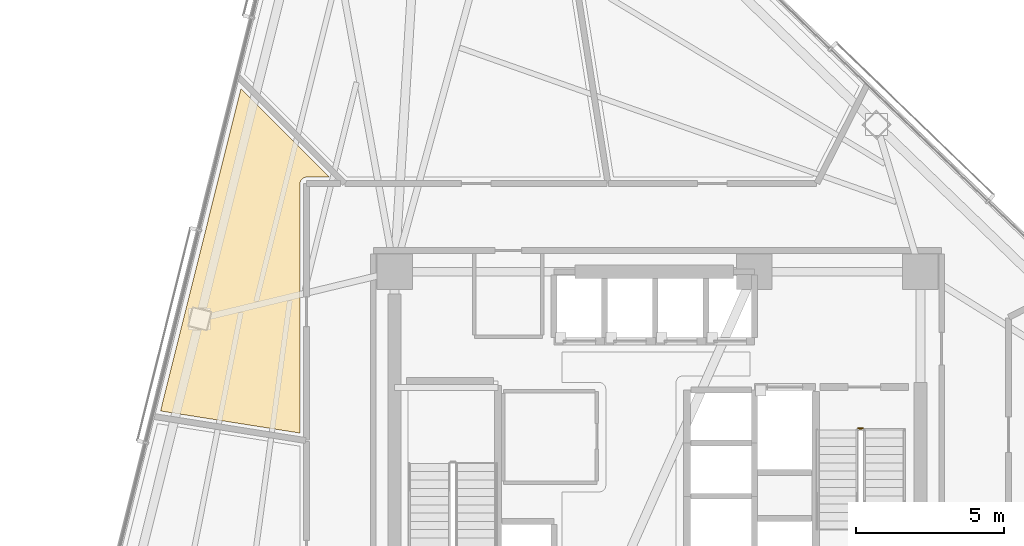
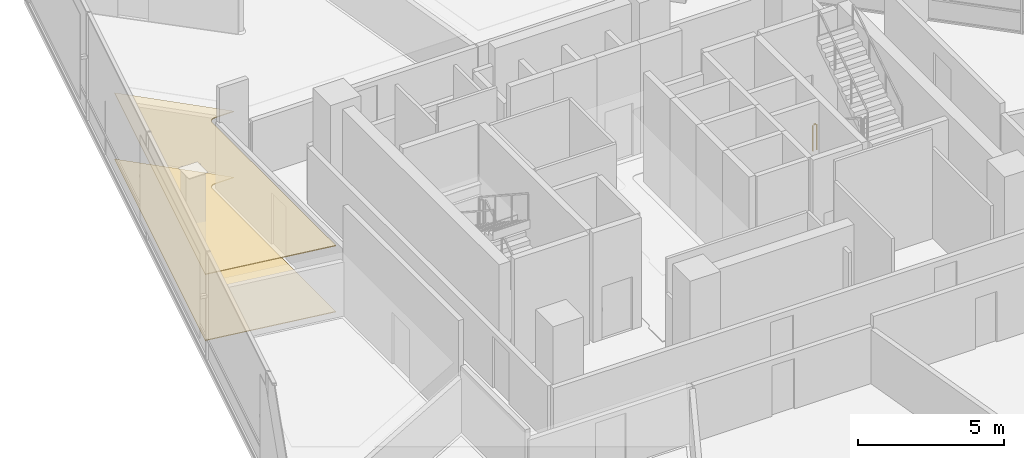
# One storey, part 17 of 18: 2 coverings, 1 railing.
"""IFC4 building model written with IfcOpenShell, lengths in metres."""

from ifc_helpers import new_model, si_unit, direction, frame, origin, origin_2d, place, context, subcontext, project, spatial, polyline, rectangle, outline, extrude, material, layer, layer_set, type_object, element, save


model = new_model("IFC4")

# Units and contexts
model_context = context("Model", 3, precision=1e-05, world=origin(), true_north=direction((0.0, 1.0)))
body_context = subcontext(model_context, "Body", "Model", "MODEL_VIEW")
ifc_project = project(units=[si_unit("LENGTHUNIT", "METRE"), si_unit("AREAUNIT", "SQUARE_METRE"), si_unit("VOLUMEUNIT", "CUBIC_METRE"), si_unit("PLANEANGLEUNIT", "RADIAN"), si_unit("MASSUNIT", "GRAM", prefix="KILO")], contexts=[model_context])

# Site, building, storey
site_placement = place(None, origin())
site = spatial("IfcSite", under=ifc_project, at=site_placement, CompositionType="ELEMENT")
building_placement = place(site_placement, origin())
building = spatial("IfcBuilding", under=site, at=building_placement, Name="Tharavind Bronze Gate", CompositionType="ELEMENT")
storey_placement = place(building_placement, frame((0.0, 0.0, 107.699951171875)))
storey = spatial("IfcBuildingStorey", under=building, at=storey_placement, Name="L27", CompositionType="ELEMENT", Elevation=107.699951171875)

# Coverings
ifc_material_1 = material(Name="Engineered Oak & Carpet Tile", Category="wood")
ifc_layer_1 = layer(ifc_material_1, 0.02490234375)
ifc_layer_set_1 = layer_set([ifc_layer_1], Name="Engineered Oak & Carpet Tile")
covering_type_1 = type_object("IfcCoveringType", Name="ENGINEERED TIMBER FLOORING", PredefinedType="FLOORING", material=ifc_layer_set_1)
covering_1_placement = place(storey_placement, origin())
element("IfcCovering", 1, at=covering_1_placement, inside=storey, type_object=covering_type_1, Name="L27-RM-03 floor finish", PredefinedType="FLOORING", context=body_context, shape_type="SweptSolid", body=[
    extrude(outline(polyline([(-12.10009765625, 2.13916015625), (-12.10009765625, 10.579345703125), (-12.099609375, 10.590087890625), (-12.099609375, 10.5908203125), (-12.09765625, 10.6123046875), (-12.093505859375, 10.63330078125), (-12.087158203125, 10.654052734375), (-12.078857421875, 10.674072265625), (-12.068603515625, 10.693115234375), (-12.056640625, 10.7109375), (-12.04296875, 10.727783203125), (-12.027587890625, 10.742919921875), (-12.010986328125, 10.756591796875), (-11.9931640625, 10.768798828125), (-11.97412109375, 10.77880859375), (-11.9541015625, 10.787109375), (-11.933349609375, 10.79345703125), (-11.912353515625, 10.797607421875), (-11.890869140625, 10.7998046875), (-11.89013671875, 10.7998046875), (-11.87939453125, 10.800048828125), (-11.111083984375, 10.800048828125), (-14.1015625, 13.790283203125), (-16.820068359375, 2.88671875), (-12.10009765625, 2.13916015625)])), origin(), (0.0, 0.0, 1.0), 0.025146484375),
])
ifc_material_2 = material(Name="Acoustic Gypsum Board", Category="gypsum")
ifc_layer_2 = layer(ifc_material_2, 0.030029296875)
ifc_layer_set_2 = layer_set([ifc_layer_2], Name="Acoustic Gypsum Board")
covering_type_2 = type_object("IfcCoveringType", Name="GYPSUM SUSPENDED CEILING", PredefinedType="CEILING", material=ifc_layer_set_2)
covering_2_placement = place(storey_placement, frame((0.0, 0.0, 2.75)))
element("IfcCovering", 2, at=covering_2_placement, inside=storey, type_object=covering_type_2, Name="L27-RM-03 suspended ceiling", PredefinedType="CEILING", context=body_context, shape_type="SweptSolid", body=[
    extrude(outline(polyline([(-12.10009765625, 2.13916015625), (-12.10009765625, 10.579345703125), (-12.099609375, 10.590087890625), (-12.099609375, 10.5908203125), (-12.09765625, 10.6123046875), (-12.093505859375, 10.63330078125), (-12.087158203125, 10.654052734375), (-12.078857421875, 10.674072265625), (-12.068603515625, 10.693115234375), (-12.056640625, 10.7109375), (-12.04296875, 10.727783203125), (-12.027587890625, 10.742919921875), (-12.010986328125, 10.756591796875), (-11.9931640625, 10.768798828125), (-11.97412109375, 10.77880859375), (-11.9541015625, 10.787109375), (-11.933349609375, 10.79345703125), (-11.912353515625, 10.797607421875), (-11.890869140625, 10.7998046875), (-11.89013671875, 10.7998046875), (-11.87939453125, 10.800048828125), (-11.111083984375, 10.800048828125), (-14.1015625, 13.790283203125), (-16.820068359375, 2.88671875), (-12.10009765625, 2.13916015625)])), origin(), (0.0, 0.0, 1.0), 0.03515625),
])

# Railing
ifc_material_3 = material(Name="Brushed Bronze Alloy", Category="metal")
railing_type = type_object("IfcRailingType", Name="STAIR WELL GUARD RAILING 1120", PredefinedType="GUARDRAIL", material=ifc_material_3)
railing_placement = place(storey_placement, frame((6.800048828125, 2.300048828125, 0.0)))
element("IfcRailing", 3, at=railing_placement, inside=storey, type_object=railing_type, Name="L27 ST2 stair guard 4", PredefinedType="GUARDRAIL", context=body_context, shape_type="SweptSolid", body=[
    extrude(rectangle(XDim=0.048095703125, YDim=0.048095703125, at=origin_2d()), frame((0.031982421875, 0.0, 1.09619140625), z_axis=(1.0, 0.0, 0.0), x_axis=(0.0, 1.0, 0.0)), (0.0, 0.0, 1.0), 0.0859375),
    extrude(rectangle(XDim=0.0400390625, YDim=0.0400390625, at=origin_2d()), origin(), (0.0, 0.0, 1.0), 1.068115234375),
    extrude(rectangle(XDim=0.0400390625, YDim=0.0400390625, at=origin_2d()), frame((0.14990234375, 0.0, 0.0)), (0.0, 0.0, 1.0), 1.068115234375),
])

save(model, "model.ifc")
